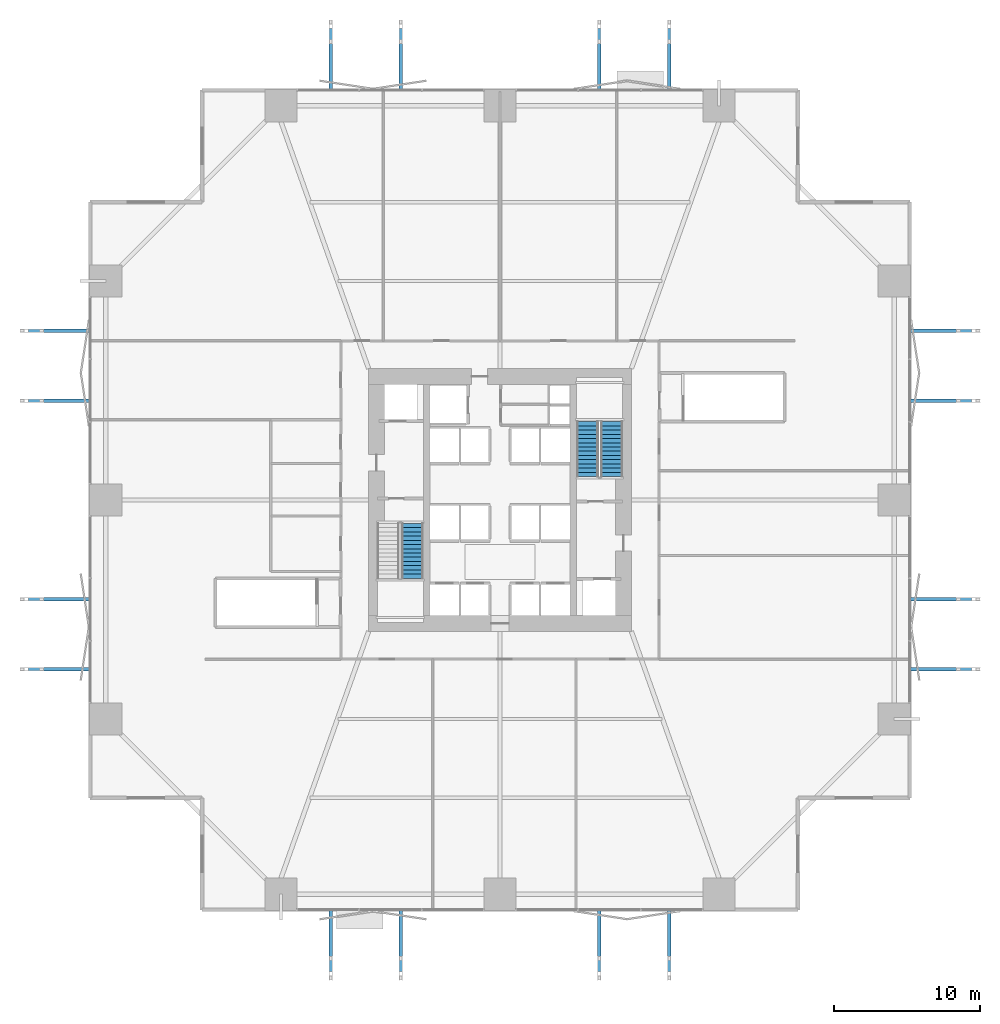
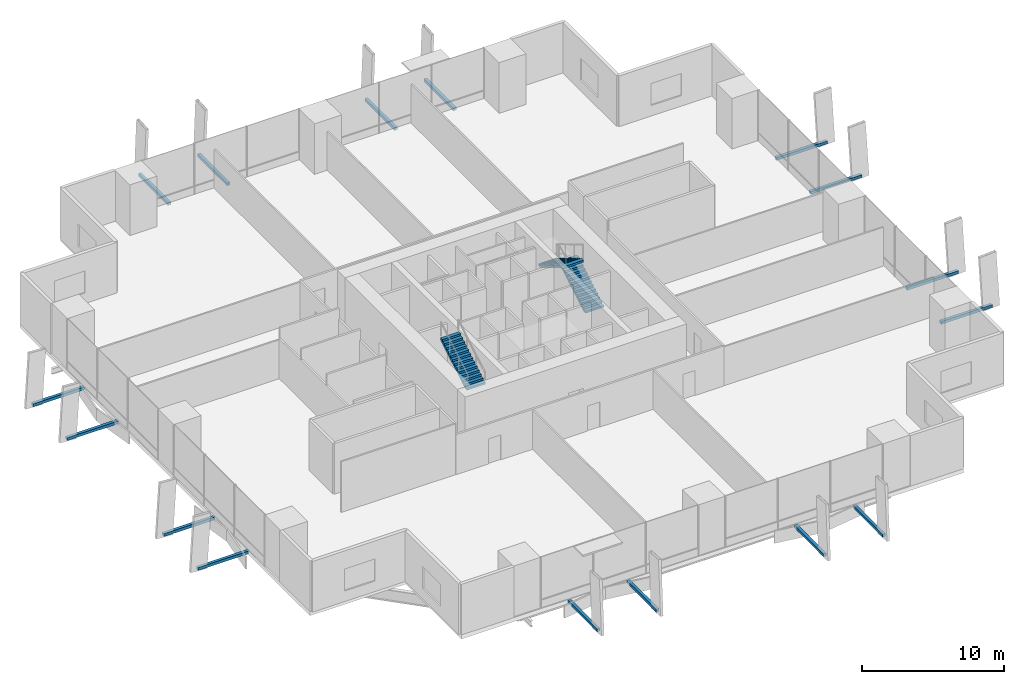
# One storey, part 22 of 24: 16 discrete accessories, 3 stair flights, 2 elements without a shape of their own.
"""IFC4 building model written with IfcOpenShell, lengths in metres."""

from ifc_helpers import new_model, si_unit, direction, frame, origin, origin_2d, place, context, subcontext, project, spatial, polyline, rectangle, outline, extrude, material, layer, layer_set, type_object, element, aggregate, save


model = new_model("IFC4")

# Units and contexts
model_context = context("Model", 3, precision=1e-05, world=origin(), true_north=direction((0.0, 1.0)))
body_context = subcontext(model_context, "Body", "Model", "MODEL_VIEW")
ifc_project = project(units=[si_unit("LENGTHUNIT", "METRE"), si_unit("AREAUNIT", "SQUARE_METRE"), si_unit("VOLUMEUNIT", "CUBIC_METRE"), si_unit("PLANEANGLEUNIT", "RADIAN"), si_unit("MASSUNIT", "GRAM", prefix="KILO")], contexts=[model_context])

# Site, building, storey
site_placement = place(None, origin())
site = spatial("IfcSite", under=ifc_project, at=site_placement, CompositionType="ELEMENT")
building_placement = place(site_placement, origin())
building = spatial("IfcBuilding", under=site, at=building_placement, Name="Belovzor Exchange Tower", CompositionType="ELEMENT")
storey_placement = place(building_placement, frame((0.0, 0.0, 19.199951171875)))
storey = spatial("IfcBuildingStorey", under=building, at=storey_placement, Name="L04", CompositionType="ELEMENT", Elevation=19.199951171875)

# Stair, stair flight
ifc_material_1 = material(Name="Concrete C40/50", Category="concrete")
stair_type = type_object("IfcStairType", Name="Reinforced Concrete Dogleg Escape Stair 1350", PredefinedType="HALF_TURN_STAIR", material=ifc_material_1)
stair_1_placement = place(storey_placement, origin())
stair_1 = element("IfcStair", 1, at=stair_1_placement, inside=storey, type_object=stair_type, Name="L04 ST-1", PredefinedType="HALF_TURN_STAIR")
ifc_material_2 = material(Name="Concrete C40/50", Category="concrete")
stair_flight_type = type_object("IfcStairFlightType", Name="Reinforced Concrete Stair Flight 1350", PredefinedType="STRAIGHT", material=ifc_material_2)
stair_flight_1_placement = place(storey_placement, frame((22.800048828125, 23.429931640625, 2.400146484375), z_axis=(0.0, 0.0, 1.0), x_axis=(0.0, 1.0, 0.0)))
stair_flight_1 = element("IfcStairFlight", 2, at=stair_flight_1_placement, type_object=stair_flight_type, Name="ST-1 flight 2", NumberOfRisers=14, NumberOfTreads=13, PredefinedType="STRAIGHT", RiserHeight=0.171428571, TreadLength=0.29, context=body_context, shape_type="SweptSolid", body=[
    extrude(outline(polyline([(0.0, 0.0), (0.0, 0.17138671875), (0.2900390625, 0.17138671875), (0.2900390625, 0.3427734375), (0.580078125, 0.3427734375), (0.580078125, 0.514404296875), (0.8701171875, 0.514404296875), (0.8701171875, 0.685791015625), (1.159912109375, 0.685791015625), (1.159912109375, 0.857177734375), (1.449951171875, 0.857177734375), (1.449951171875, 1.028564453125), (1.739990234375, 1.028564453125), (1.739990234375, 1.199951171875), (2.030029296875, 1.199951171875), (2.030029296875, 1.371337890625), (2.320068359375, 1.371337890625), (2.320068359375, 1.54296875), (2.610107421875, 1.54296875), (2.610107421875, 1.71435546875), (2.89990234375, 1.71435546875), (2.89990234375, 1.8857421875), (3.18994140625, 1.8857421875), (3.18994140625, 2.05712890625), (3.47998046875, 2.05712890625), (3.47998046875, 2.228515625), (3.77001953125, 2.228515625), (3.77001953125, 2.39990234375), (3.77001953125, 2.054443359375), (0.294677734375, 0.0), (0.0, 0.0)])), frame((0.0, 0.75, 0.0), z_axis=(0.0, -1.0, 0.0), x_axis=(1.0, 0.0, 0.0)), (0.0, 0.0, 1.0), 1.5),
])
aggregate(stair_1, [stair_flight_1])

# Stair, stair flights
stair_2_placement = place(storey_placement, origin())
stair_2 = element("IfcStair", 3, at=stair_2_placement, inside=storey, type_object=stair_type, Name="L04 ST-2", PredefinedType="HALF_TURN_STAIR")
stair_flight_2_placement = place(storey_placement, frame((36.449951171875, 30.39990234375, 0.0), z_axis=(0.0, 0.0, 1.0), x_axis=(0.0, 1.0, 0.0)))
stair_flight_2 = element("IfcStairFlight", 4, at=stair_flight_2_placement, type_object=stair_flight_type, Name="ST-2 flight 1", NumberOfRisers=14, NumberOfTreads=13, PredefinedType="STRAIGHT", RiserHeight=0.171428571, TreadLength=0.29, context=body_context, shape_type="SweptSolid", body=[
    extrude(outline(polyline([(0.0, 0.0), (0.0, 0.17138671875), (0.2900390625, 0.17138671875), (0.2900390625, 0.3427734375), (0.580078125, 0.3427734375), (0.580078125, 0.514404296875), (0.8701171875, 0.514404296875), (0.8701171875, 0.685791015625), (1.159912109375, 0.685791015625), (1.159912109375, 0.857177734375), (1.449951171875, 0.857177734375), (1.449951171875, 1.028564453125), (1.739990234375, 1.028564453125), (1.739990234375, 1.199951171875), (2.030029296875, 1.199951171875), (2.030029296875, 1.371337890625), (2.320068359375, 1.371337890625), (2.320068359375, 1.54296875), (2.610107421875, 1.54296875), (2.610107421875, 1.71435546875), (2.89990234375, 1.71435546875), (2.89990234375, 1.8857421875), (3.18994140625, 1.8857421875), (3.18994140625, 2.05712890625), (3.47998046875, 2.05712890625), (3.47998046875, 2.228515625), (3.77001953125, 2.228515625), (3.77001953125, 2.39990234375), (3.77001953125, 2.054443359375), (0.294677734375, 0.0), (0.0, 0.0)])), frame((0.0, 0.75, 0.0), z_axis=(0.0, -1.0, 0.0), x_axis=(1.0, 0.0, 0.0)), (0.0, 0.0, 1.0), 1.5),
])
stair_flight_3_placement = place(storey_placement, frame((34.800048828125, 34.169921875, 2.400146484375), z_axis=(0.0, 0.0, 1.0), x_axis=(0.0, -1.0, 0.0)))
stair_flight_3 = element("IfcStairFlight", 5, at=stair_flight_3_placement, type_object=stair_flight_type, Name="ST-2 flight 2", NumberOfRisers=14, NumberOfTreads=13, PredefinedType="STRAIGHT", RiserHeight=0.171428571, TreadLength=0.29, context=body_context, shape_type="SweptSolid", body=[
    extrude(outline(polyline([(0.0, 0.0), (0.0, 0.17138671875), (0.2900390625, 0.17138671875), (0.2900390625, 0.3427734375), (0.580078125, 0.3427734375), (0.580078125, 0.514404296875), (0.8701171875, 0.514404296875), (0.8701171875, 0.685791015625), (1.159912109375, 0.685791015625), (1.159912109375, 0.857177734375), (1.449951171875, 0.857177734375), (1.449951171875, 1.028564453125), (1.739990234375, 1.028564453125), (1.739990234375, 1.199951171875), (2.030029296875, 1.199951171875), (2.030029296875, 1.371337890625), (2.320068359375, 1.371337890625), (2.320068359375, 1.54296875), (2.610107421875, 1.54296875), (2.610107421875, 1.71435546875), (2.89990234375, 1.71435546875), (2.89990234375, 1.8857421875), (3.18994140625, 1.8857421875), (3.18994140625, 2.05712890625), (3.47998046875, 2.05712890625), (3.47998046875, 2.228515625), (3.77001953125, 2.228515625), (3.77001953125, 2.39990234375), (3.77001953125, 2.054443359375), (0.294677734375, 0.0), (0.0, 0.0)])), frame((0.0, 0.75, 0.0), z_axis=(0.0, -1.0, 0.0), x_axis=(1.0, 0.0, 0.0)), (0.0, 0.0, 1.0), 1.5),
])
aggregate(stair_2, [stair_flight_2, stair_flight_3])

# Discrete accessories
ifc_material_3 = material(Name="Stainless Steel Grade 316", Category="steel")
ifc_layer = layer(ifc_material_3, 0.179931640625)
ifc_layer_set = layer_set([ifc_layer], Name="Stainless Steel Grade 316")
discrete_accessory_type = type_object("IfcDiscreteAccessoryType", Name="Stainless Steel Facade Outrigger Fixing Bracket", PredefinedType="BRACKET", material=ifc_layer_set)
for number, where, z_axis, x_axis, name in (
    (6, (17.199951171875, -1.40087890625, -0.294921875), (0.0, 0.0, 1.0), (0.0, 1.0, 0.0), "BRK-FIN1 Sweeping Fin Outrigger Bracket L04 S1"),
    (7, (17.199951171875, 59.0009765625, -0.294921875), (0.0, 0.0, 1.0), (0.0, 1.0, 0.0), "BRK-FIN1 Sweeping Fin Outrigger Bracket L04 N1"),
    (8, (-1.40087890625, 17.199951171875, -0.294921875), (0.0, 0.0, 1.0), (1.0, 0.0, 0.0), "BRK-FIN1 Sweeping Fin Outrigger Bracket L04 W1"),
    (9, (59.0009765625, 17.199951171875, -0.294921875), (0.0, 0.0, 1.0), (1.0, 0.0, 0.0), "BRK-FIN1 Sweeping Fin Outrigger Bracket L04 E1"),
    (10, (22.0, -1.40087890625, -0.294921875), (0.0, 0.0, 1.0), (0.0, 1.0, 0.0), "BRK-FIN1 Sweeping Fin Outrigger Bracket L04 S2"),
    (11, (22.0, 59.0009765625, -0.294921875), (0.0, 0.0, 1.0), (0.0, 1.0, 0.0), "BRK-FIN1 Sweeping Fin Outrigger Bracket L04 N2"),
    (12, (-1.40087890625, 22.0, -0.294921875), (0.0, 0.0, 1.0), (1.0, 0.0, 0.0), "BRK-FIN1 Sweeping Fin Outrigger Bracket L04 W2"),
    (13, (59.0009765625, 22.0, -0.294921875), (0.0, 0.0, 1.0), (1.0, 0.0, 0.0), "BRK-FIN1 Sweeping Fin Outrigger Bracket L04 E2"),
    (14, (35.60009765625, -1.40087890625, -0.294921875), (0.0, 0.0, 1.0), (0.0, 1.0, 0.0), "BRK-FIN1 Sweeping Fin Outrigger Bracket L04 S3"),
    (15, (35.60009765625, 59.0009765625, -0.294921875), (0.0, 0.0, 1.0), (0.0, 1.0, 0.0), "BRK-FIN1 Sweeping Fin Outrigger Bracket L04 N3"),
    (16, (-1.40087890625, 35.60009765625, -0.294921875), (0.0, 0.0, 1.0), (1.0, 0.0, 0.0), "BRK-FIN1 Sweeping Fin Outrigger Bracket L04 W3"),
    (17, (59.0009765625, 35.60009765625, -0.294921875), (0.0, 0.0, 1.0), (1.0, 0.0, 0.0), "BRK-FIN1 Sweeping Fin Outrigger Bracket L04 E3"),
    (18, (40.39990234375, -1.40087890625, -0.294921875), (0.0, 0.0, 1.0), (0.0, 1.0, 0.0), "BRK-FIN1 Sweeping Fin Outrigger Bracket L04 S4"),
    (19, (40.39990234375, 59.0009765625, -0.294921875), (0.0, 0.0, 1.0), (0.0, 1.0, 0.0), "BRK-FIN1 Sweeping Fin Outrigger Bracket L04 N4"),
    (20, (-1.40087890625, 40.39990234375, -0.294921875), (0.0, 0.0, 1.0), (1.0, 0.0, 0.0), "BRK-FIN1 Sweeping Fin Outrigger Bracket L04 W4"),
    (21, (59.0009765625, 40.39990234375, -0.294921875), (0.0, 0.0, 1.0), (1.0, 0.0, 0.0), "BRK-FIN1 Sweeping Fin Outrigger Bracket L04 E4"),
):
    element("IfcDiscreteAccessory", number, at=place(storey_placement, frame(where, z_axis=z_axis, x_axis=x_axis)), inside=storey, type_object=discrete_accessory_type, Name=name, PredefinedType="BRACKET", context=body_context, shape_type="SweptSolid", body=[
        extrude(rectangle(XDim=4.162109375, YDim=0.239990234375, at=origin_2d()), origin(), (0.0, 0.0, 1.0), 0.239990234375),
    ])

save(model, "model.ifc")
